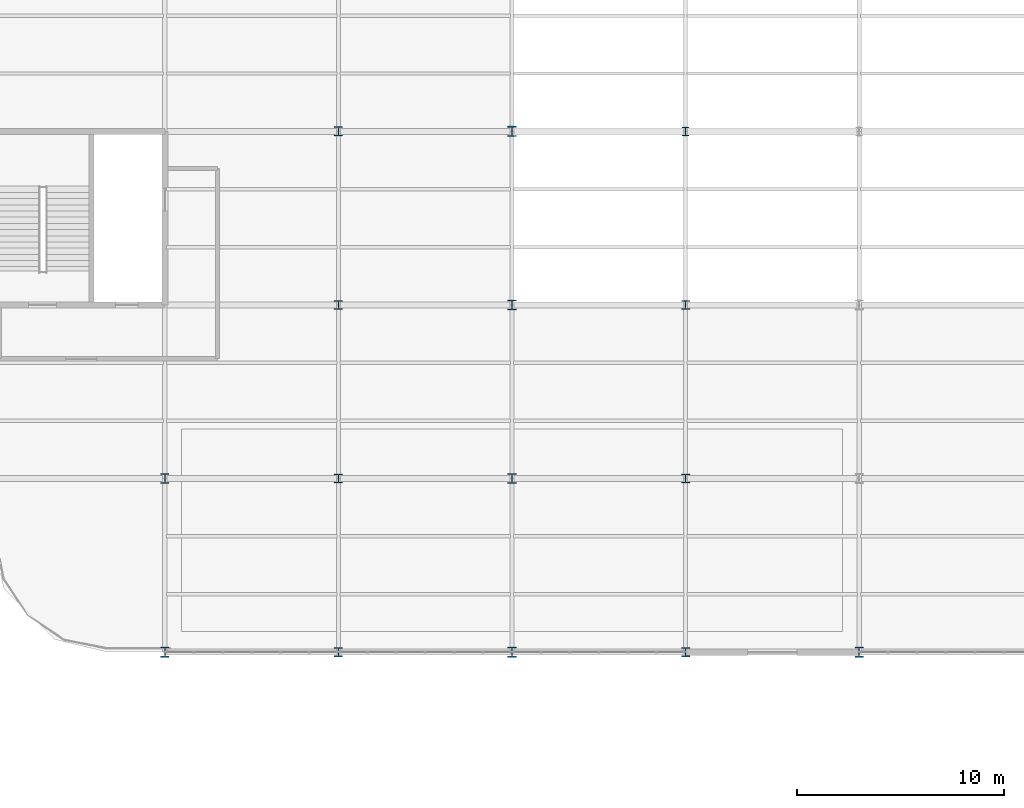
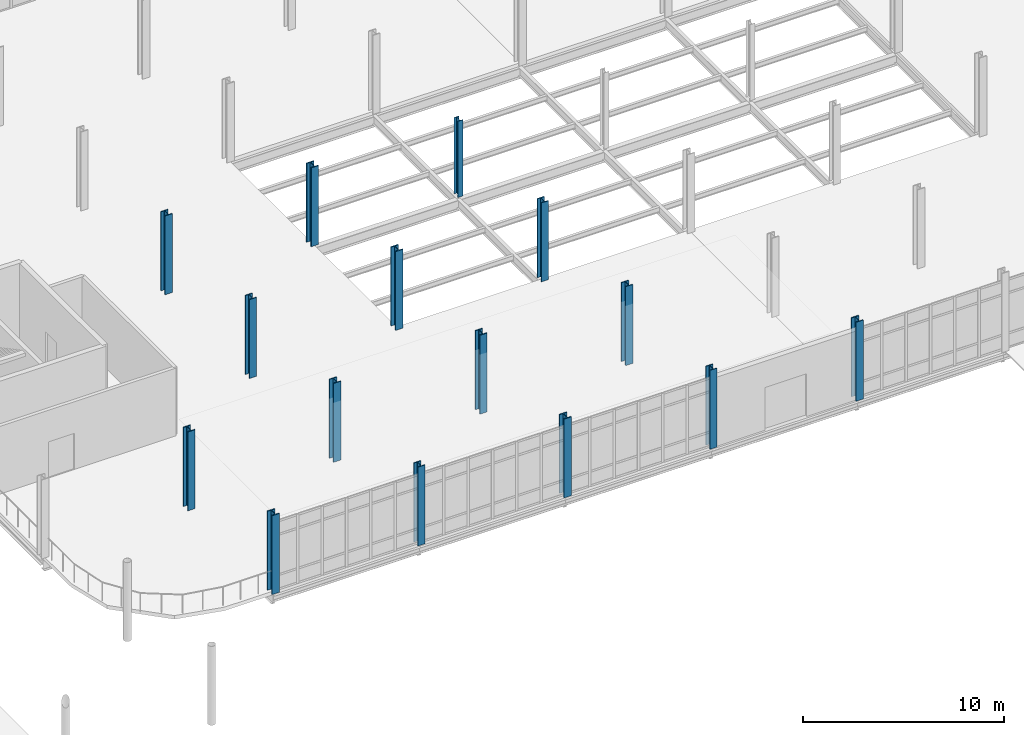
# One storey, part 13 of 145: 15 columns.
"""IFC4 building model written with IfcOpenShell, lengths in metres."""

from ifc_helpers import new_model, si_unit, direction, frame, origin, origin_2d, place, context, subcontext, project, spatial, i_section, extrude, material, material_profile, profile_set, type_object, element, save


model = new_model("IFC4")

# Units and contexts
model_context = context("Model", 3, precision=1e-05, world=origin(), true_north=direction((0.0, 1.0)))
body_context = subcontext(model_context, "Body", "Model", "MODEL_VIEW")
ifc_project = project(units=[si_unit("LENGTHUNIT", "METRE"), si_unit("AREAUNIT", "SQUARE_METRE"), si_unit("VOLUMEUNIT", "CUBIC_METRE"), si_unit("PLANEANGLEUNIT", "RADIAN"), si_unit("MASSUNIT", "GRAM", prefix="KILO")], contexts=[model_context])

# Site, building, storey
site_placement = place(None, origin())
site = spatial("IfcSite", under=ifc_project, at=site_placement, CompositionType="ELEMENT")
building_placement = place(site_placement, origin())
building = spatial("IfcBuilding", under=site, at=building_placement, Name="Qalvenar Corner Mobility Hub", CompositionType="ELEMENT")
storey_placement = place(building_placement, origin())
storey = spatial("IfcBuildingStorey", under=building, at=storey_placement, Name="L00", CompositionType="ELEMENT", Elevation=0.0)

# Columns
ifc_material = material(Name="Steel S355", Category="steel")
ifc_material_profile_1 = material_profile(ifc_material, i_section(OverallWidth=0.412109375, OverallDepth=0.455078125, WebThickness=0.030517578125, FlangeThickness=0.049072265625, FilletRadius=0.014892578125, at=origin_2d()), Name="HD400x421")
ifc_profile_set_1 = profile_set([ifc_material_profile_1], Name="Steel S355")
column_type_1 = type_object("IfcColumnType", Name="COL-HD400X382", PredefinedType="COLUMN", material=ifc_profile_set_1)
for number, where, z_axis, x_axis, name in (
    (1, (75.60009765625, 67.199951171875, 0.0), (0.0, 0.0, 1.0), (1.0, 0.0, 0.0), "Steel Column L00-G10-8"),
    (2, (75.60009765625, 75.60009765625, 0.0), (0.0, 0.0, 1.0), (1.0, 0.0, 0.0), "Steel Column L00-G10-9"),
    (3, (75.60009765625, 84.0, 0.0), (0.0, 0.0, 1.0), (1.0, 0.0, 0.0), "Steel Column L00-G10-10"),
    (4, (75.60009765625, 92.39990234375, 0.0), (0.0, 0.0, 1.0), (1.0, 0.0, 0.0), "Steel Column L00-G10-11"),
    (5, (92.39990234375, 67.199951171875, 0.0), (0.0, 0.0, 1.0), (1.0, 0.0, 0.0), "Steel Column L00-G12-8"),
    (6, (92.39990234375, 75.60009765625, 0.0), (0.0, 0.0, 1.0), (1.0, 0.0, 0.0), "Steel Column L00-G12-9"),
    (7, (92.39990234375, 84.0, 0.0), (0.0, 0.0, 1.0), (1.0, 0.0, 0.0), "Steel Column L00-G12-10"),
):
    element("IfcColumn", number, at=place(storey_placement, frame(where, z_axis=z_axis, x_axis=x_axis)), inside=storey, type_object=column_type_1, Name=name, PredefinedType="COLUMN", context=body_context, shape_type="SweptSolid", body=[
        extrude(i_section(OverallWidth=0.412109375, OverallDepth=0.455078125, WebThickness=0.030517578125, FlangeThickness=0.049072265625, FilletRadius=0.014892578125, at=origin_2d()), origin(), (0.0, 0.0, 1.0), 4.800048828125),
    ])
ifc_material_profile_2 = material_profile(ifc_material, i_section(OverallWidth=0.419921875, OverallDepth=0.5048828125, WebThickness=0.03662109375, FlangeThickness=0.05908203125, FilletRadius=0.014892578125, at=origin_2d()), Name="HD400x551")
ifc_profile_set_2 = profile_set([ifc_material_profile_2], Name="Steel S355")
column_type_2 = type_object("IfcColumnType", Name="COL-HD400X463", PredefinedType="COLUMN", material=ifc_profile_set_2)
for number, where, z_axis, x_axis, name in (
    (8, (67.199951171875, 67.199951171875, 0.0), (0.0, 0.0, 1.0), (1.0, 0.0, 0.0), "Steel Column L00-G9-8"),
    (9, (67.199951171875, 75.60009765625, 0.0), (0.0, 0.0, 1.0), (1.0, 0.0, 0.0), "Steel Column L00-G9-9"),
    (10, (84.0, 67.199951171875, 0.0), (0.0, 0.0, 1.0), (1.0, 0.0, 0.0), "Steel Column L00-G11-8"),
    (11, (84.0, 75.60009765625, 0.0), (0.0, 0.0, 1.0), (1.0, 0.0, 0.0), "Steel Column L00-G11-9"),
    (12, (84.0, 84.0, 0.0), (0.0, 0.0, 1.0), (1.0, 0.0, 0.0), "Steel Column L00-G11-10"),
    (13, (84.0, 92.39990234375, 0.0), (0.0, 0.0, 1.0), (1.0, 0.0, 0.0), "Steel Column L00-G11-11"),
    (14, (100.800048828125, 67.199951171875, 0.0), (0.0, 0.0, 1.0), (1.0, 0.0, 0.0), "Steel Column L00-G13-8"),
):
    element("IfcColumn", number, at=place(storey_placement, frame(where, z_axis=z_axis, x_axis=x_axis)), inside=storey, type_object=column_type_2, Name=name, PredefinedType="COLUMN", context=body_context, shape_type="SweptSolid", body=[
        extrude(i_section(OverallWidth=0.419921875, OverallDepth=0.5048828125, WebThickness=0.03662109375, FlangeThickness=0.05908203125, FilletRadius=0.014892578125, at=origin_2d()), origin(), (0.0, 0.0, 1.0), 4.800048828125),
    ])
ifc_material_profile_3 = material_profile(ifc_material, i_section(OverallWidth=0.300048828125, OverallDepth=0.39990234375, WebThickness=0.013427734375, FlangeThickness=0.02392578125, FilletRadius=0.027099609375, at=origin_2d()), Name="HEB400")
ifc_profile_set_3 = profile_set([ifc_material_profile_3], Name="Steel S355")
column_type_3 = type_object("IfcColumnType", Name="COL-HEB400", PredefinedType="COLUMN", material=ifc_profile_set_3)
column_placement = place(storey_placement, frame((92.39990234375, 92.39990234375, 0.0), z_axis=(0.0, 0.0, 1.0), x_axis=(1.0, 0.0, 0.0)))
element("IfcColumn", 15, at=column_placement, inside=storey, type_object=column_type_3, Name="Steel Column L00-G12-11", PredefinedType="COLUMN", context=body_context, shape_type="SweptSolid", body=[
    extrude(i_section(OverallWidth=0.300048828125, OverallDepth=0.39990234375, WebThickness=0.013427734375, FlangeThickness=0.02392578125, FilletRadius=0.027099609375, at=origin_2d()), origin(), (0.0, 0.0, 1.0), 4.6298828125),
])

save(model, "model.ifc")
